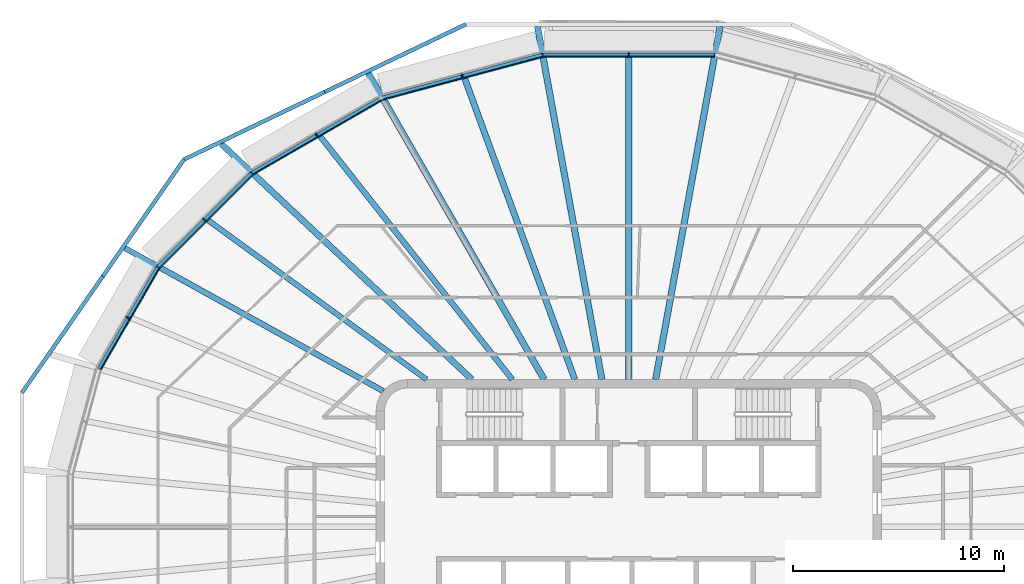
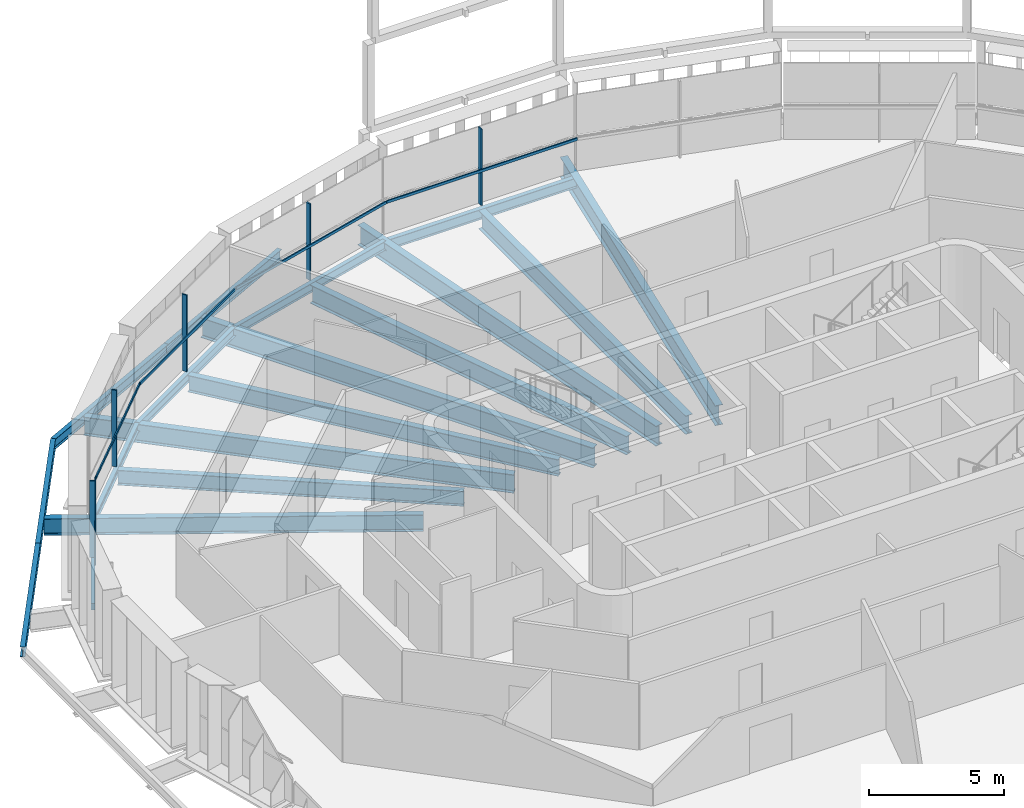
# One storey, part 6 of 21: 18 beams, 10 members, 5 elements without a shape of their own.
"""IFC4 building model written with IfcOpenShell, lengths in metres."""

from ifc_helpers import new_model, si_unit, direction, frame, origin, origin_2d, place, context, subcontext, project, spatial, rectangle, i_section, extrude, material, layer, layer_set, material_profile, profile_set, type_object, element, aggregate, save


model = new_model("IFC4")

# Units and contexts
model_context = context("Model", 3, precision=1e-05, world=origin(), true_north=direction((0.0, 1.0)))
body_context = subcontext(model_context, "Body", "Model", "MODEL_VIEW")
ifc_project = project(units=[si_unit("LENGTHUNIT", "METRE"), si_unit("AREAUNIT", "SQUARE_METRE"), si_unit("VOLUMEUNIT", "CUBIC_METRE"), si_unit("PLANEANGLEUNIT", "RADIAN"), si_unit("MASSUNIT", "GRAM", prefix="KILO")], contexts=[model_context])

# Site, building, storey
site_placement = place(None, origin())
site = spatial("IfcSite", under=ifc_project, at=site_placement, CompositionType="ELEMENT")
building_placement = place(site_placement, origin())
building = spatial("IfcBuilding", under=site, at=building_placement, Name="Sahrelin Media Tower", CompositionType="ELEMENT")
storey_placement = place(building_placement, frame((0.0, 0.0, 304.39990234375)))
storey = spatial("IfcBuildingStorey", under=building, at=storey_placement, Name="L67", CompositionType="ELEMENT", Elevation=304.39990234375)

# Beams
ifc_material_1 = material(Name="Steel S355", Category="steel")
ifc_material_profile_1 = material_profile(ifc_material_1, i_section(OverallWidth=0.1650390625, OverallDepth=0.303466796875, WebThickness=0.006103515625, FlangeThickness=0.01025390625, FilletRadius=0.0087890625, at=origin_2d()), Name="UB 305x165x40")
ifc_profile_set_1 = profile_set([ifc_material_profile_1], Name="Steel S355")
beam_type_1 = type_object("IfcBeamType", Name="Edge beam EB2", PredefinedType="BEAM", material=ifc_profile_set_1)
beam_1_placement = place(storey_placement, frame((-25.150634765625, 7.505859375, -0.301513671875), z_axis=(0.500028539159, 0.866008926066, 0.0), x_axis=(-0.866008926066, 0.500028539159, 0.0)))
element("IfcBeam", 1, at=beam_1_placement, inside=storey, type_object=beam_type_1, Name="Edge beam L67-15", PredefinedType="BEAM", context=body_context, shape_type="SweptSolid", body=[
    extrude(i_section(OverallWidth=0.1650390625, OverallDepth=0.303466796875, WebThickness=0.006103515625, FlangeThickness=0.01025390625, FilletRadius=0.0087890625, at=origin_2d()), origin(), (0.0, 0.0, 1.0), 5.569580078125),
])
ifc_material_profile_2 = material_profile(ifc_material_1, i_section(OverallWidth=0.17138671875, OverallDepth=0.35498046875, WebThickness=0.00732421875, FlangeThickness=0.011474609375, FilletRadius=0.01025390625, at=origin_2d()), Name="UB 356x171x51")
ifc_profile_set_2 = profile_set([ifc_material_profile_2], Name="Steel S355")
beam_type_2 = type_object("IfcBeamType", Name="Edge beam EB3", PredefinedType="BEAM", material=ifc_profile_set_2)
beam_2_placement = place(storey_placement, frame((-22.34814453125, 12.35205078125, -0.327392578125), z_axis=(0.707087309439, 0.707126252398, 0.0), x_axis=(-0.707126252398, 0.707087309439, 0.0)))
element("IfcBeam", 2, at=beam_2_placement, inside=storey, type_object=beam_type_2, Name="Edge beam L67-16", PredefinedType="BEAM", context=body_context, shape_type="SweptSolid", body=[
    extrude(i_section(OverallWidth=0.17138671875, OverallDepth=0.35498046875, WebThickness=0.00732421875, FlangeThickness=0.011474609375, FilletRadius=0.01025390625, at=origin_2d()), origin(), (0.0, 0.0, 1.0), 6.269287109375),
])
ifc_material_profile_3 = material_profile(ifc_material_1, i_section(OverallWidth=0.177978515625, OverallDepth=0.406494140625, WebThickness=0.0078125, FlangeThickness=0.0126953125, FilletRadius=0.01025390625, at=origin_2d()), Name="UB 406x178x60")
ifc_profile_set_3 = profile_set([ifc_material_profile_3], Name="Steel S355")
beam_type_3 = type_object("IfcBeamType", Name="Edge beam EB4", PredefinedType="BEAM", material=ifc_profile_set_3)
beam_3_placement = place(storey_placement, frame((-17.892333984375, 16.802490234375, -0.35302734375), z_axis=(0.866011952646, 0.500023297332, 0.0), x_axis=(-0.500023297332, 0.866011952646, 0.0)))
element("IfcBeam", 3, at=beam_3_placement, inside=storey, type_object=beam_type_3, Name="Edge beam L67-17", PredefinedType="BEAM", context=body_context, shape_type="SweptSolid", body=[
    extrude(i_section(OverallWidth=0.177978515625, OverallDepth=0.406494140625, WebThickness=0.0078125, FlangeThickness=0.0126953125, FilletRadius=0.01025390625, at=origin_2d()), origin(), (0.0, 0.0, 1.0), 7.118408203125),
])
beam_4_placement = place(storey_placement, frame((-11.701171875, 20.372802734375, -0.35302734375), z_axis=(0.965926976283, 0.258814753228, 0.0), x_axis=(-0.258814753228, 0.965926976283, 0.0)))
element("IfcBeam", 4, at=beam_4_placement, inside=storey, type_object=beam_type_3, Name="Edge beam L67-18", PredefinedType="BEAM", context=body_context, shape_type="SweptSolid", body=[
    extrude(i_section(OverallWidth=0.177978515625, OverallDepth=0.406494140625, WebThickness=0.0078125, FlangeThickness=0.0126953125, FilletRadius=0.01025390625, at=origin_2d()), origin(), (0.0, 0.0, 1.0), 7.859619140625),
])
ifc_material_profile_4 = material_profile(ifc_material_1, i_section(OverallWidth=0.1904296875, OverallDepth=0.45703125, WebThickness=0.009033203125, FlangeThickness=0.014404296875, FilletRadius=0.01025390625, at=origin_2d()), Name="UB 457x191x74")
ifc_profile_set_4 = profile_set([ifc_material_profile_4], Name="Steel S355")
beam_type_4 = type_object("IfcBeamType", Name="Edge beam EB5", PredefinedType="BEAM", material=ifc_profile_set_4)
beam_5_placement = place(storey_placement, frame((-4.080810546875, 22.41064453125, -0.37841796875), z_axis=(1.0, 0.0, 0.0), x_axis=(0.0, 1.0, 0.0)))
element("IfcBeam", 5, at=beam_5_placement, inside=storey, type_object=beam_type_4, Name="Edge beam L67-19", PredefinedType="BEAM", context=body_context, shape_type="SweptSolid", body=[
    extrude(i_section(OverallWidth=0.1904296875, OverallDepth=0.45703125, WebThickness=0.009033203125, FlangeThickness=0.014404296875, FilletRadius=0.01025390625, at=origin_2d()), origin(), (0.0, 0.0, 1.0), 8.16162109375),
])

# Curtain wall, member
ifc_material_2 = material(Name="Champagne anodised aluminium 6063-T6", Category="aluminium")
ifc_layer = layer(ifc_material_2, 0.14990234375)
ifc_layer_set = layer_set([ifc_layer], Name="Tower ribbon curtain wall")
curtain_wall_type = type_object("IfcCurtainWallType", Name="Tower ribbon curtain wall", PredefinedType="NOTDEFINED", material=ifc_layer_set)
curtain_wall_1_placement = place(storey_placement, frame((0.0, 22.560791015625, 0.0), z_axis=(0.0, 0.0, 1.0), x_axis=(1.0, 0.0, 0.0)))
curtain_wall_1 = element("IfcCurtainWall", 6, at=curtain_wall_1_placement, inside=storey, type_object=curtain_wall_type, Name="L67:CW:L67-06", PredefinedType="NOTDEFINED")
ifc_material_profile_5 = material_profile(ifc_material_2, rectangle(XDim=0.06005859375, YDim=0.199951171875, at=origin_2d()), Name="Mullion 60x200")
ifc_profile_set_5 = profile_set([ifc_material_profile_5], Name="Champagne anodised aluminium 6063-T6")
member_type_1 = type_object("IfcMemberType", Name="Mullion 60x200 CW1C", PredefinedType="MULLION", material=ifc_profile_set_5)
member_1_placement = place(storey_placement, frame((0.0, 22.440673828125, 0.0), z_axis=(0.0, 0.0, 1.0), x_axis=(-1.0, 0.0, 0.0)))
member_1 = element("IfcMember", 7, at=member_1_placement, type_object=member_type_1, Name="L67:CWM:L67-06", PredefinedType="MULLION", context=body_context, shape_type="SweptSolid", body=[
    extrude(rectangle(XDim=0.06005859375, YDim=0.199951171875, at=origin_2d()), origin(), (0.0, 0.0, 1.0), 3.44873046875),
])

curtain_wall_2_placement = place(storey_placement, frame((-7.944091796875, 21.53466796875, 0.0), z_axis=(0.0, 0.0, 1.0), x_axis=(1.0, 0.0, 0.0)))
curtain_wall_2 = element("IfcCurtainWall", 8, at=curtain_wall_2_placement, inside=storey, type_object=curtain_wall_type, Name="L67:CW:L67-07", PredefinedType="NOTDEFINED")
member_2_placement = place(storey_placement, frame((-7.9130859375, 21.418701171875, 0.0), z_axis=(0.0, 0.0, 1.0), x_axis=(-0.965925374563, -0.258820730961, 0.0)))
member_2 = element("IfcMember", 9, at=member_2_placement, type_object=member_type_1, Name="L67:CWM:L67-07", PredefinedType="MULLION", context=body_context, shape_type="SweptSolid", body=[
    extrude(rectangle(XDim=0.06005859375, YDim=0.199951171875, at=origin_2d()), origin(), (0.0, 0.0, 1.0), 3.44873046875),
])

curtain_wall_3_placement = place(storey_placement, frame((-14.885009765625, 18.712158203125, 0.0), z_axis=(0.0, 0.0, 1.0), x_axis=(1.0, 0.0, 0.0)))
curtain_wall_3 = element("IfcCurtainWall", 10, at=curtain_wall_3_placement, inside=storey, type_object=curtain_wall_type, Name="L67:CW:L67-08", PredefinedType="NOTDEFINED")
member_3_placement = place(storey_placement, frame((-14.8251953125, 18.608154296875, 0.0), z_axis=(0.0, 0.0, 1.0), x_axis=(-0.866029767075, -0.499992442484, 0.0)))
member_3 = element("IfcMember", 11, at=member_3_placement, type_object=member_type_1, Name="L67:CWM:L67-08", PredefinedType="MULLION", context=body_context, shape_type="SweptSolid", body=[
    extrude(rectangle(XDim=0.06005859375, YDim=0.199951171875, at=origin_2d()), origin(), (0.0, 0.0, 1.0), 3.44873046875),
])

curtain_wall_4_placement = place(storey_placement, frame((-20.23779296875, 14.6748046875, 0.0), z_axis=(0.0, 0.0, 1.0), x_axis=(1.0, 0.0, 0.0)))
curtain_wall_4 = element("IfcCurtainWall", 12, at=curtain_wall_4_placement, inside=storey, type_object=curtain_wall_type, Name="L67:CW:L67-09", PredefinedType="NOTDEFINED")
member_4_placement = place(storey_placement, frame((-20.15283203125, 14.58984375, 0.0), z_axis=(0.0, 0.0, 1.0), x_axis=(-0.707106781187, -0.707106781187, 0.0)))
member_4 = element("IfcMember", 13, at=member_4_placement, type_object=member_type_1, Name="L67:CWM:L67-09", PredefinedType="MULLION", context=body_context, shape_type="SweptSolid", body=[
    extrude(rectangle(XDim=0.06005859375, YDim=0.199951171875, at=origin_2d()), origin(), (0.0, 0.0, 1.0), 3.44873046875),
])

curtain_wall_5_placement = place(storey_placement, frame((-23.887939453125, 9.992431640625, 0.0), z_axis=(0.0, 0.0, 1.0), x_axis=(1.0, 0.0, 0.0)))
curtain_wall_5 = element("IfcCurtainWall", 14, at=curtain_wall_5_placement, inside=storey, type_object=curtain_wall_type, Name="L67:CW:L67-10", PredefinedType="NOTDEFINED")
member_5_placement = place(storey_placement, frame((-23.7841796875, 9.9326171875, 0.0), z_axis=(0.0, 0.0, 1.0), x_axis=(-0.500001511499, -0.866024531118, 0.0)))
member_5 = element("IfcMember", 15, at=member_5_placement, type_object=member_type_1, Name="L67:CWM:L67-10", PredefinedType="MULLION", context=body_context, shape_type="SweptSolid", body=[
    extrude(rectangle(XDim=0.06005859375, YDim=0.199951171875, at=origin_2d()), origin(), (0.0, 0.0, 1.0), 3.44873046875),
])

# Beams
ifc_material_profile_6 = material_profile(ifc_material_1, i_section(OverallWidth=0.291748046875, OverallDepth=0.8349609375, WebThickness=0.013916015625, FlangeThickness=0.018798828125, FilletRadius=0.017822265625, at=origin_2d()), Name="UB 838x292x176")
ifc_profile_set_6 = profile_set([ifc_material_profile_6], Name="Steel S355")
beam_type_5 = type_object("IfcBeamType", Name="Radial primary beam PB10", PredefinedType="BEAM", material=ifc_profile_set_6)
beam_6_placement = place(storey_placement, frame((-7.447509765625, 7.0, -0.5673828125), z_axis=(-0.728671974562, 0.684862872032, 0.0), x_axis=(-0.684862872032, -0.728671974562, 0.0)))
element("IfcBeam", 16, at=beam_6_placement, inside=storey, type_object=beam_type_5, Name="Radial beam L67-09", PredefinedType="BEAM", context=body_context, shape_type="SweptSolid", body=[
    extrude(i_section(OverallWidth=0.291748046875, OverallDepth=0.8349609375, WebThickness=0.013916015625, FlangeThickness=0.018798828125, FilletRadius=0.017822265625, at=origin_2d()), origin(), (0.0, 0.0, 1.0), 16.333984375),
])
ifc_material_profile_7 = material_profile(ifc_material_1, i_section(OverallWidth=0.30322265625, OverallDepth=0.903076171875, WebThickness=0.01513671875, FlangeThickness=0.020263671875, FilletRadius=0.01904296875, at=origin_2d()), Name="UB 914x305x201")
ifc_profile_set_7 = profile_set([ifc_material_profile_7], Name="Steel S355")
beam_type_6 = type_object("IfcBeamType", Name="Radial primary beam PB11", PredefinedType="BEAM", material=ifc_profile_set_7)
for number, where, z_axis, x_axis, name in (
    (17, (1.27685546875, 7.0, -0.601318359375), (0.179436252386, 0.983769602768, 0.0), (-0.983769602768, 0.179436252386, 0.0), "Radial beam L67-06"),
    (18, (-1.27685546875, 7.0, -0.601318359375), (-0.179436252386, 0.983769602768, 0.0), (-0.983769602768, -0.179436252386, 0.0), "Radial beam L67-07"),
):
    element("IfcBeam", number, at=place(storey_placement, frame(where, z_axis=z_axis, x_axis=x_axis)), inside=storey, type_object=beam_type_6, Name=name, PredefinedType="BEAM", context=body_context, shape_type="SweptSolid", body=[
        extrude(i_section(OverallWidth=0.30322265625, OverallDepth=0.903076171875, WebThickness=0.01513671875, FlangeThickness=0.020263671875, FilletRadius=0.01904296875, at=origin_2d()), origin(), (0.0, 0.0, 1.0), 17.044189453125),
    ])
beam_7_placement = place(storey_placement, frame((-4.018310546875, 7.0, -0.601318359375), z_axis=(-0.497863258598, 0.867255542351, 0.0), x_axis=(-0.867255542351, -0.497863258598, 0.0)))
element("IfcBeam", 19, at=beam_7_placement, inside=storey, type_object=beam_type_6, Name="Radial beam L67-08", PredefinedType="BEAM", context=body_context, shape_type="SweptSolid", body=[
    extrude(i_section(OverallWidth=0.30322265625, OverallDepth=0.903076171875, WebThickness=0.01513671875, FlangeThickness=0.020263671875, FilletRadius=0.01904296875, at=origin_2d()), origin(), (0.0, 0.0, 1.0), 16.762939453125),
])
ifc_material_profile_8 = material_profile(ifc_material_1, i_section(OverallWidth=0.26513671875, OverallDepth=0.75390625, WebThickness=0.0126953125, FlangeThickness=0.017578125, FilletRadius=0.0166015625, at=origin_2d()), Name="UB 762x267x147")
ifc_profile_set_8 = profile_set([ifc_material_profile_8], Name="Steel S355")
beam_type_7 = type_object("IfcBeamType", Name="Radial primary beam PB9", PredefinedType="BEAM", material=ifc_profile_set_8)
beam_8_placement = place(storey_placement, frame((-11.650146484375, 6.444091796875, -0.52685546875), z_axis=(-0.875046431692, 0.484038988495, 0.0), x_axis=(-0.484038988495, -0.875046431692, 0.0)))
element("IfcBeam", 20, at=beam_8_placement, inside=storey, type_object=beam_type_7, Name="Radial beam L67-10", PredefinedType="BEAM", context=body_context, shape_type="SweptSolid", body=[
    extrude(i_section(OverallWidth=0.26513671875, OverallDepth=0.75390625, WebThickness=0.0126953125, FlangeThickness=0.017578125, FilletRadius=0.0166015625, at=origin_2d()), origin(), (0.0, 0.0, 1.0), 14.029296875),
])
ifc_material_profile_9 = material_profile(ifc_material_1, i_section(OverallWidth=0.291748046875, OverallDepth=0.8349609375, WebThickness=0.013916015625, FlangeThickness=0.018798828125, FilletRadius=0.017822265625, at=origin_2d()), Name="UB 838x292x176")
ifc_profile_set_9 = profile_set([ifc_material_profile_9], Name="Steel S355")
beam_type_8 = type_object("IfcBeamType", Name="Radial secondary beam SB10", PredefinedType="BEAM", material=ifc_profile_set_9)
beam_9_placement = place(storey_placement, frame((0.0, 7.0, -0.5673828125), z_axis=(0.0, 1.0, 0.0), x_axis=(-1.0, 0.0, 0.0)))
element("IfcBeam", 21, at=beam_9_placement, inside=storey, type_object=beam_type_8, Name="Secondary beam L67-06", PredefinedType="BEAM", context=body_context, shape_type="SweptSolid", body=[
    extrude(i_section(OverallWidth=0.291748046875, OverallDepth=0.8349609375, WebThickness=0.013916015625, FlangeThickness=0.018798828125, FilletRadius=0.017822265625, at=origin_2d()), origin(), (0.0, 0.0, 1.0), 15.3154296875),
])
beam_10_placement = place(storey_placement, frame((-2.561279296875, 7.0, -0.5673828125), z_axis=(-0.343626287634, 0.939106476629, 0.0), x_axis=(-0.939106476629, -0.343626287634, 0.0)))
element("IfcBeam", 22, at=beam_10_placement, inside=storey, type_object=beam_type_8, Name="Secondary beam L67-07", PredefinedType="BEAM", context=body_context, shape_type="SweptSolid", body=[
    extrude(i_section(OverallWidth=0.291748046875, OverallDepth=0.8349609375, WebThickness=0.013916015625, FlangeThickness=0.018798828125, FilletRadius=0.017822265625, at=origin_2d()), origin(), (0.0, 0.0, 1.0), 15.254150390625),
])
ifc_material_profile_10 = material_profile(ifc_material_1, i_section(OverallWidth=0.2529296875, OverallDepth=0.677978515625, WebThickness=0.01171875, FlangeThickness=0.01611328125, FilletRadius=0.01513671875, at=origin_2d()), Name="UB 686x254x125")
ifc_profile_set_10 = profile_set([ifc_material_profile_10], Name="Steel S355")
beam_type_9 = type_object("IfcBeamType", Name="Radial secondary beam SB8", PredefinedType="BEAM", material=ifc_profile_set_10)
beam_11_placement = place(storey_placement, frame((-9.60400390625, 7.0, -0.489013671875), z_axis=(-0.808118555144, 0.589019864548, 0.0), x_axis=(-0.589019864548, -0.808118555144, 0.0)))
element("IfcBeam", 23, at=beam_11_placement, inside=storey, type_object=beam_type_9, Name="Secondary beam L67-09", PredefinedType="BEAM", context=body_context, shape_type="SweptSolid", body=[
    extrude(i_section(OverallWidth=0.2529296875, OverallDepth=0.677978515625, WebThickness=0.01171875, FlangeThickness=0.01611328125, FilletRadius=0.01513671875, at=origin_2d()), origin(), (0.0, 0.0, 1.0), 12.86572265625),
])
ifc_material_profile_11 = material_profile(ifc_material_1, i_section(OverallWidth=0.26513671875, OverallDepth=0.75390625, WebThickness=0.0126953125, FlangeThickness=0.017578125, FilletRadius=0.0166015625, at=origin_2d()), Name="UB 762x267x147")
ifc_profile_set_11 = profile_set([ifc_material_profile_11], Name="Steel S355")
beam_type_10 = type_object("IfcBeamType", Name="Radial secondary beam SB9", PredefinedType="BEAM", material=ifc_profile_set_11)
beam_12_placement = place(storey_placement, frame((-5.531494140625, 7.0, -0.52685546875), z_axis=(-0.620008435569, 0.784595143895, 0.0), x_axis=(-0.784595143895, -0.620008435569, 0.0)))
element("IfcBeam", 24, at=beam_12_placement, inside=storey, type_object=beam_type_10, Name="Secondary beam L67-08", PredefinedType="BEAM", context=body_context, shape_type="SweptSolid", body=[
    extrude(i_section(OverallWidth=0.26513671875, OverallDepth=0.75390625, WebThickness=0.0126953125, FlangeThickness=0.017578125, FilletRadius=0.0166015625, at=origin_2d()), origin(), (0.0, 0.0, 1.0), 14.735595703125),
])
ifc_material_profile_12 = material_profile(ifc_material_1, i_section(OverallWidth=0.1904296875, OverallDepth=0.45703125, WebThickness=0.009033203125, FlangeThickness=0.014404296875, FilletRadius=0.01025390625, at=origin_2d()), Name="UB 457x191x74")
ifc_profile_set_12 = profile_set([ifc_material_profile_12], Name="Steel S355")
beam_type_11 = type_object("IfcBeamType", Name="Tie chord TC5", PredefinedType="BEAM", material=ifc_profile_set_12)
beam_13_placement = place(storey_placement, frame((-28.809814453125, 6.3740234375, -0.37841796875), z_axis=(0.570620128594, 0.82121414311, 0.0), x_axis=(-0.82121414311, 0.570620128594, 0.0)))
element("IfcBeam", 25, at=beam_13_placement, inside=storey, type_object=beam_type_11, Name="Tie chord L67-12", PredefinedType="BEAM", context=body_context, shape_type="SweptSolid", body=[
    extrude(i_section(OverallWidth=0.1904296875, OverallDepth=0.45703125, WebThickness=0.009033203125, FlangeThickness=0.014404296875, FilletRadius=0.01025390625, at=origin_2d()), origin(), (0.0, 0.0, 1.0), 6.730224609375),
])
beam_14_placement = place(storey_placement, frame((-24.969482421875, 11.90087890625, -0.37841796875), z_axis=(0.570711589945, 0.821150583695, 0.0), x_axis=(-0.821150583695, 0.570711589945, 0.0)))
element("IfcBeam", 26, at=beam_14_placement, inside=storey, type_object=beam_type_11, Name="Tie chord L67-13", PredefinedType="BEAM", context=body_context, shape_type="SweptSolid", body=[
    extrude(i_section(OverallWidth=0.1904296875, OverallDepth=0.45703125, WebThickness=0.009033203125, FlangeThickness=0.014404296875, FilletRadius=0.01025390625, at=origin_2d()), origin(), (0.0, 0.0, 1.0), 6.750732421875),
])
beam_15_placement = place(storey_placement, frame((-21.11669921875, 17.4443359375, -0.37841796875), z_axis=(0.901607856923, 0.432554357664, 0.0), x_axis=(-0.432554357664, 0.901607856923, 0.0)))
element("IfcBeam", 27, at=beam_15_placement, inside=storey, type_object=beam_type_11, Name="Tie chord L67-14", PredefinedType="BEAM", context=body_context, shape_type="SweptSolid", body=[
    extrude(i_section(OverallWidth=0.1904296875, OverallDepth=0.45703125, WebThickness=0.009033203125, FlangeThickness=0.014404296875, FilletRadius=0.01025390625, at=origin_2d()), origin(), (0.0, 0.0, 1.0), 7.411376953125),
])
beam_16_placement = place(storey_placement, frame((-14.4345703125, 20.650146484375, -0.37841796875), z_axis=(0.90164251984, 0.432482099533, 0.0), x_axis=(-0.432482099533, 0.90164251984, 0.0)))
element("IfcBeam", 28, at=beam_16_placement, inside=storey, type_object=beam_type_11, Name="Tie chord L67-15", PredefinedType="BEAM", context=body_context, shape_type="SweptSolid", body=[
    extrude(i_section(OverallWidth=0.1904296875, OverallDepth=0.45703125, WebThickness=0.009033203125, FlangeThickness=0.014404296875, FilletRadius=0.01025390625, at=origin_2d()), origin(), (0.0, 0.0, 1.0), 7.428466796875),
])

# Member
ifc_material_profile_13 = material_profile(ifc_material_2, rectangle(XDim=0.050048828125, YDim=0.1201171875, at=origin_2d()), Name="Transom 50x120")
ifc_profile_set_13 = profile_set([ifc_material_profile_13], Name="Champagne anodised aluminium 6063-T6")
member_type_2 = type_object("IfcMemberType", Name="Transom 50x120 CW1C", PredefinedType="USERDEFINED", material=ifc_profile_set_13)
member_6_placement = place(storey_placement, frame((4.06494140625, 22.315673828125, 1.60009765625), z_axis=(-1.0, 0.0, 0.0), x_axis=(0.0, -1.0, 0.0)))
member_6 = element("IfcMember", 29, at=member_6_placement, type_object=member_type_2, Name="L67:CWT:L67-06", ObjectType="TRANSOM", PredefinedType="USERDEFINED", context=body_context, shape_type="SweptSolid", body=[
    extrude(rectangle(XDim=0.050048828125, YDim=0.1201171875, at=origin_2d()), origin(), (0.0, 0.0, 1.0), 8.1298828125),
])

aggregate(curtain_wall_1, [member_1, member_6])

member_7_placement = place(storey_placement, frame((-4.099853515625, 22.31103515625, 1.60009765625), z_axis=(-0.965925221164, -0.25882130345, 0.0), x_axis=(0.25882130345, -0.965925221164, 0.0)))
member_7 = element("IfcMember", 30, at=member_7_placement, type_object=member_type_2, Name="L67:CWT:L67-07", ObjectType="TRANSOM", PredefinedType="USERDEFINED", context=body_context, shape_type="SweptSolid", body=[
    extrude(rectangle(XDim=0.050048828125, YDim=0.1201171875, at=origin_2d()), origin(), (0.0, 0.0, 1.0), 7.828369140625),
])

aggregate(curtain_wall_2, [member_2, member_7])

member_8_placement = place(storey_placement, frame((-11.69384765625, 20.271484375, 1.60009765625), z_axis=(-0.866040446274, -0.499973944738, 0.0), x_axis=(0.499973944738, -0.866040446274, 0.0)))
member_8 = element("IfcMember", 31, at=member_8_placement, type_object=member_type_2, Name="L67:CWT:L67-08", ObjectType="TRANSOM", PredefinedType="USERDEFINED", context=body_context, shape_type="SweptSolid", body=[
    extrude(rectangle(XDim=0.050048828125, YDim=0.1201171875, at=origin_2d()), origin(), (0.0, 0.0, 1.0), 7.0869140625),
])

aggregate(curtain_wall_3, [member_3, member_8])

member_9_placement = place(storey_placement, frame((-17.859130859375, 16.706787109375, 1.60009765625), z_axis=(-0.707106781187, -0.707106781187, 0.0), x_axis=(0.707106781187, -0.707106781187, 0.0)))
member_9 = element("IfcMember", 32, at=member_9_placement, type_object=member_type_2, Name="L67:CWT:L67-09", ObjectType="TRANSOM", PredefinedType="USERDEFINED", context=body_context, shape_type="SweptSolid", body=[
    extrude(rectangle(XDim=0.050048828125, YDim=0.1201171875, at=origin_2d()), origin(), (0.0, 0.0, 1.0), 6.238037109375),
])

aggregate(curtain_wall_4, [member_4, member_9])

member_10_placement = place(storey_placement, frame((-22.291259765625, 12.26806640625, 1.60009765625), z_axis=(-0.499998477844, -0.8660262826, 0.0), x_axis=(0.8660262826, -0.499998477844, 0.0)))
member_10 = element("IfcMember", 33, at=member_10_placement, type_object=member_type_2, Name="L67:CWT:L67-10", ObjectType="TRANSOM", PredefinedType="USERDEFINED", context=body_context, shape_type="SweptSolid", body=[
    extrude(rectangle(XDim=0.050048828125, YDim=0.1201171875, at=origin_2d()), origin(), (0.0, 0.0, 1.0), 5.5380859375),
])

aggregate(curtain_wall_5, [member_5, member_10])

save(model, "model.ifc")
